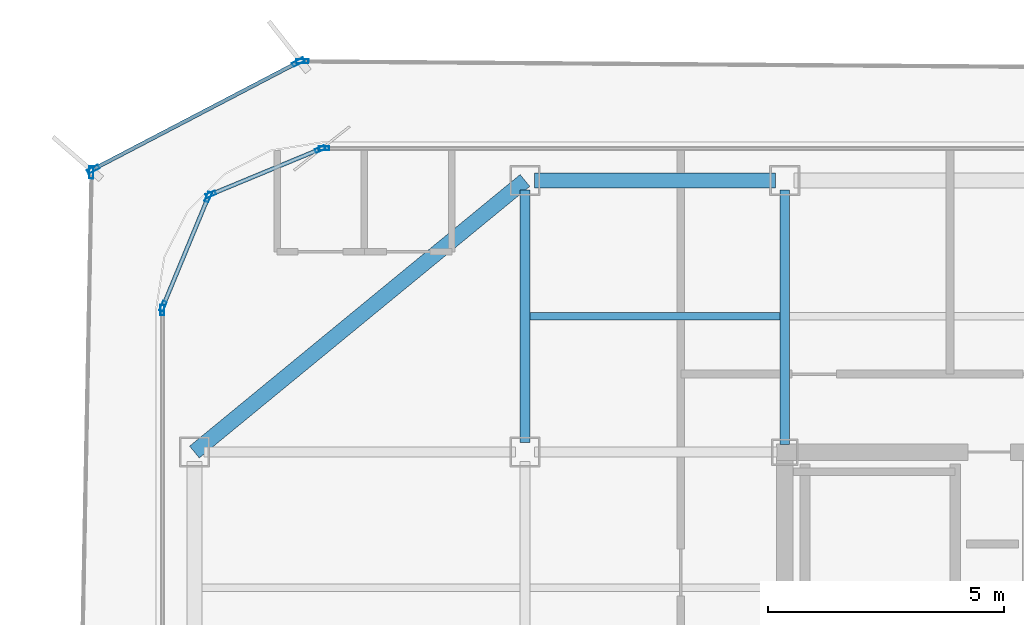
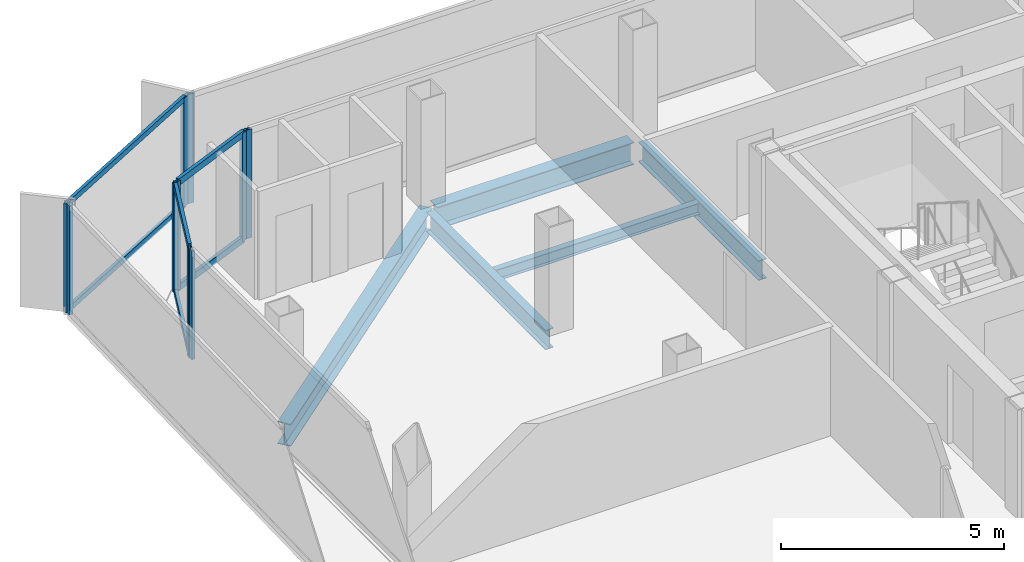
# One storey, part 6 of 15: 16 members, 5 beams, 7 elements without a shape of their own.
"""IFC4 building model written with IfcOpenShell, lengths in metres."""

from ifc_helpers import new_model, si_unit, direction, frame, origin, origin_2d, place, context, subcontext, project, spatial, hollow_rectangle, i_section, extrude, source, transform, mapped, material, layer, layer_set, material_profile, profile_set, type_object, element, aggregate, save


model = new_model("IFC4")

# Units and contexts
model_context = context("Model", 3, precision=1e-05, world=origin(), true_north=direction((0.0, 1.0)))
body_context = subcontext(model_context, "Body", "Model", "MODEL_VIEW")
ifc_project = project(units=[si_unit("LENGTHUNIT", "METRE"), si_unit("AREAUNIT", "SQUARE_METRE"), si_unit("VOLUMEUNIT", "CUBIC_METRE"), si_unit("PLANEANGLEUNIT", "RADIAN"), si_unit("MASSUNIT", "GRAM", prefix="KILO")], contexts=[model_context])

# Site, building, storey
site_placement = place(None, origin())
site = spatial("IfcSite", under=ifc_project, at=site_placement, CompositionType="ELEMENT")
building_placement = place(site_placement, origin())
building = spatial("IfcBuilding", under=site, at=building_placement, Name="Kolveth Station Tower", CompositionType="ELEMENT")
storey_placement = place(building_placement, frame((0.0, 0.0, 223.300048828125)))
storey = spatial("IfcBuildingStorey", under=building, at=storey_placement, Name="L63", CompositionType="ELEMENT", Elevation=223.300048828125)

# Beams
ifc_material_1 = material(Name="Steel S355", Category="steel")
ifc_material_profile_1 = material_profile(ifc_material_1, i_section(OverallWidth=0.323974609375, OverallDepth=0.611083984375, WebThickness=0.0126953125, FlangeThickness=0.01904296875, at=origin_2d()), Name="W610x155")
ifc_profile_set_1 = profile_set([ifc_material_profile_1], Name="Steel S355")
beam_type_1 = type_object("IfcBeamType", Name="Beam_SP2", PredefinedType="SPANDREL", material=ifc_profile_set_1)
shared_shape_1 = source(origin(), body_context, "Body", "SweptSolid", [
    extrude(i_section(OverallWidth=0.323974609375, OverallDepth=0.611083984375, WebThickness=0.0126953125, FlangeThickness=0.01904296875, at=origin_2d()), origin(), (0.0, 0.0, 1.0), 9.058837890625),
])
beam_1_placement = place(storey_placement, frame((13.0, 34.5, -0.525634765625), z_axis=(-0.772726254525, -0.63473942336, 0.0), x_axis=(0.63473942336, -0.772726254525, 0.0)))
element("IfcBeam", 1, at=beam_1_placement, inside=storey, type_object=beam_type_1, Name="L63 Corner Edge Girder BM-L63-CNR-NW", PredefinedType="SPANDREL", context=body_context, shape_type="MappedRepresentation", body=[
    mapped(shared_shape_1, transform((0.0, 0.0, 0.0), x_axis=(1.0, 0.0, 0.0), y_axis=(0.0, 1.0, 0.0), z_axis=(0.0, 0.0, 1.0), scale=1.0)),
])
shared_shape_2 = source(origin(), body_context, "Body", "SweptSolid", [
    extrude(i_section(OverallWidth=0.323974609375, OverallDepth=0.611083984375, WebThickness=0.0126953125, FlangeThickness=0.01904296875, at=origin_2d()), origin(), (0.0, 0.0, 1.0), 5.10009765625),
])
beam_2_placement = place(storey_placement, frame((13.199951171875, 34.5, -0.525634765625), z_axis=(1.0, 0.0, 0.0), x_axis=(0.0, 1.0, 0.0)))
element("IfcBeam", 2, at=beam_2_placement, inside=storey, type_object=beam_type_1, Name="L63 Perimeter Spandrel BM-L63-PN-1", PredefinedType="SPANDREL", context=body_context, shape_type="MappedRepresentation", body=[
    mapped(shared_shape_2, transform((0.0, 0.0, 0.0), x_axis=(1.0, 0.0, 0.0), y_axis=(0.0, 1.0, 0.0), z_axis=(0.0, 0.0, 1.0), scale=1.0)),
])
ifc_material_profile_2 = material_profile(ifc_material_1, i_section(OverallWidth=0.2099609375, OverallDepth=0.537109375, WebThickness=0.010986328125, FlangeThickness=0.017333984375, at=origin_2d()), Name="W530x101")
ifc_profile_set_2 = profile_set([ifc_material_profile_2], Name="Steel S355")
beam_type_2 = type_object("IfcBeamType", Name="Beam_B6", PredefinedType="BEAM", material=ifc_profile_set_2)
shared_shape_3 = source(origin(), body_context, "Body", "SweptSolid", [
    extrude(i_section(OverallWidth=0.2099609375, OverallDepth=0.537109375, WebThickness=0.010986328125, FlangeThickness=0.017333984375, at=origin_2d()), origin(), (0.0, 0.0, 1.0), 5.35009765625),
])
beam_3_placement = place(storey_placement, frame((13.0, 28.949951171875, -0.488525390625), z_axis=(0.0, 1.0, 0.0), x_axis=(-1.0, 0.0, 0.0)))
element("IfcBeam", 3, at=beam_3_placement, inside=storey, type_object=beam_type_2, Name="L63 Primary Girder BM-L63-GX130-6", PredefinedType="BEAM", context=body_context, shape_type="MappedRepresentation", body=[
    mapped(shared_shape_3, transform((0.0, 0.0, 0.0), x_axis=(1.0, 0.0, 0.0), y_axis=(0.0, 1.0, 0.0), z_axis=(0.0, 0.0, 1.0), scale=1.0)),
])
shared_shape_4 = source(origin(), body_context, "Body", "SweptSolid", [
    extrude(i_section(OverallWidth=0.2099609375, OverallDepth=0.537109375, WebThickness=0.010986328125, FlangeThickness=0.017333984375, at=origin_2d()), origin(), (0.0, 0.0, 1.0), 5.39013671875),
])
beam_4_placement = place(storey_placement, frame((18.5, 28.909912109375, -0.488525390625), z_axis=(0.0, 1.0, 0.0), x_axis=(-1.0, 0.0, 0.0)))
element("IfcBeam", 4, at=beam_4_placement, inside=storey, type_object=beam_type_2, Name="L63 Primary Girder BM-L63-GX185-6", PredefinedType="BEAM", context=body_context, shape_type="MappedRepresentation", body=[
    mapped(shared_shape_4, transform((0.0, 0.0, 0.0), x_axis=(1.0, 0.0, 0.0), y_axis=(0.0, 1.0, 0.0), z_axis=(0.0, 0.0, 1.0), scale=1.0)),
])
ifc_material_profile_3 = material_profile(ifc_material_1, i_section(OverallWidth=0.1650390625, OverallDepth=0.31005859375, WebThickness=0.005859375, FlangeThickness=0.009765625, at=origin_2d()), Name="W310x39")
ifc_profile_set_3 = profile_set([ifc_material_profile_3], Name="Steel S355")
beam_type_3 = type_object("IfcBeamType", Name="Beam_J3", PredefinedType="JOIST", material=ifc_profile_set_3)
shared_shape_5 = source(origin(), body_context, "Body", "SweptSolid", [
    extrude(i_section(OverallWidth=0.1650390625, OverallDepth=0.31005859375, WebThickness=0.005859375, FlangeThickness=0.009765625, at=origin_2d()), origin(), (0.0, 0.0, 1.0), 5.2939453125),
])
beam_5_placement = place(storey_placement, frame((13.10302734375, 31.625, -0.375), z_axis=(1.0, 0.0, 0.0), x_axis=(0.0, 1.0, 0.0)))
element("IfcBeam", 5, at=beam_5_placement, inside=storey, type_object=beam_type_3, Name="L63 Secondary Joist JST-L63-2-6", PredefinedType="JOIST", context=body_context, shape_type="MappedRepresentation", body=[
    mapped(shared_shape_5, transform((0.0, 0.0, 0.0), x_axis=(1.0, 0.0, 0.0), y_axis=(0.0, 1.0, 0.0), z_axis=(0.0, 0.0, 1.0), scale=1.0)),
])

# Curtain wall, member
ifc_material_2 = material(Name="Black anodized aluminium 6063-T6 and dark solar glass", Category="aluminium")
ifc_layer_1 = layer(ifc_material_2, 0.159912109375)
ifc_layer_set_1 = layer_set([ifc_layer_1], Name="Black anodized aluminium 6063-T6 and dark solar glass")
curtain_wall_type_1 = type_object("IfcCurtainWallType", Name="OUTER SKIN CW-OS", PredefinedType="NOTDEFINED", material=ifc_layer_set_1)
curtain_wall_1_placement = place(storey_placement, origin())
curtain_wall_1 = element("IfcCurtainWall", 6, at=curtain_wall_1_placement, inside=storey, type_object=curtain_wall_type_1, Name="L63 Outer Ventilated Skin Curtain Wall 4", PredefinedType="NOTDEFINED")
ifc_material_3 = material(Name="Black anodized aluminium 6063-T6", Category="aluminium")
ifc_material_profile_4 = material_profile(ifc_material_3, hollow_rectangle(XDim=0.090087890625, YDim=0.260009765625, WallThickness=0.0048828125, at=origin_2d()), Name="ALU-90x260x5")
ifc_profile_set_4 = profile_set([ifc_material_profile_4], Name="Black anodized aluminium 6063-T6")
member_type_1 = type_object("IfcMemberType", Name="FIN MULLION ML-OS", PredefinedType="MULLION", material=ifc_profile_set_4)
shared_shape_6 = source(origin(), body_context, "Body", "SweptSolid", [
    extrude(hollow_rectangle(XDim=0.090087890625, YDim=0.260009765625, WallThickness=0.0048828125, at=origin_2d()), origin(), (0.0, 0.0, 1.0), 2.989990234375),
])
member_1_placement = place(storey_placement, frame((8.285888671875, 37.02587890625, 0.0), z_axis=(0.0, 0.0, 1.0), x_axis=(-0.007382150183, -0.999972751558, 0.0)))
member_1 = element("IfcMember", 7, at=member_1_placement, type_object=member_type_1, Name="CW-OS mullion 2", PredefinedType="MULLION", context=body_context, shape_type="MappedRepresentation", body=[
    mapped(shared_shape_6, transform((0.0, 0.0, 0.0), x_axis=(1.0, 0.0, 0.0), y_axis=(0.0, 1.0, 0.0), z_axis=(0.0, 0.0, 1.0), scale=1.0)),
])
aggregate(curtain_wall_1, [member_1])

# Curtain wall, members
curtain_wall_2_placement = place(storey_placement, origin())
curtain_wall_2 = element("IfcCurtainWall", 8, at=curtain_wall_2_placement, inside=storey, type_object=curtain_wall_type_1, Name="L63 Outer Ventilated Skin Curtain Wall 5", PredefinedType="NOTDEFINED")
member_2_placement = place(storey_placement, frame((8.200927734375, 37.00537109375, 0.0), z_axis=(0.0, 0.0, 1.0), x_axis=(0.462834497051, -0.886444712512, 0.0)))
member_2 = element("IfcMember", 9, at=member_2_placement, type_object=member_type_1, Name="CW-OS mullion 1", PredefinedType="MULLION", context=body_context, shape_type="MappedRepresentation", body=[
    mapped(shared_shape_6, transform((0.0, 0.0, 0.0), x_axis=(1.0, 0.0, 0.0), y_axis=(0.0, 1.0, 0.0), z_axis=(0.0, 0.0, 1.0), scale=1.0)),
])
member_3_placement = place(storey_placement, frame((3.858154296875, 34.73779296875, 0.0), z_axis=(0.0, 0.0, 1.0), x_axis=(0.462834497051, -0.886444712512, 0.0)))
member_3 = element("IfcMember", 10, at=member_3_placement, type_object=member_type_1, Name="CW-OS mullion 2", PredefinedType="MULLION", context=body_context, shape_type="MappedRepresentation", body=[
    mapped(shared_shape_6, transform((0.0, 0.0, 0.0), x_axis=(1.0, 0.0, 0.0), y_axis=(0.0, 1.0, 0.0), z_axis=(0.0, 0.0, 1.0), scale=1.0)),
])

# Curtain wall, member
curtain_wall_3_placement = place(storey_placement, origin())
curtain_wall_3 = element("IfcCurtainWall", 11, at=curtain_wall_3_placement, inside=storey, type_object=curtain_wall_type_1, Name="L63 Outer Ventilated Skin Curtain Wall 6", PredefinedType="NOTDEFINED")
member_4_placement = place(storey_placement, frame((3.8173828125, 34.672119140625, 0.0), z_axis=(0.0, 0.0, 1.0), x_axis=(0.999812653598, -0.019356076698, 0.0)))
member_4 = element("IfcMember", 12, at=member_4_placement, type_object=member_type_1, Name="CW-OS mullion 1", PredefinedType="MULLION", context=body_context, shape_type="MappedRepresentation", body=[
    mapped(shared_shape_6, transform((0.0, 0.0, 0.0), x_axis=(1.0, 0.0, 0.0), y_axis=(0.0, 1.0, 0.0), z_axis=(0.0, 0.0, 1.0), scale=1.0)),
])
aggregate(curtain_wall_3, [member_4])

ifc_material_4 = material(Name="Aluminium 6063-T6 and triple low-E dark glass", Category="aluminium")
ifc_layer_2 = layer(ifc_material_4, 0.199951171875)
ifc_layer_set_2 = layer_set([ifc_layer_2], Name="Aluminium 6063-T6 and triple low-E dark glass")
curtain_wall_type_2 = type_object("IfcCurtainWallType", Name="CurtainWall_CW-Z3", PredefinedType="NOTDEFINED", material=ifc_layer_set_2)
curtain_wall_4_placement = place(storey_placement, origin())
curtain_wall_4 = element("IfcCurtainWall", 13, at=curtain_wall_4_placement, inside=storey, type_object=curtain_wall_type_2, Name="L63 Inner Thermal Curtain Wall 6", PredefinedType="NOTDEFINED")
ifc_material_profile_5 = material_profile(ifc_material_3, hollow_rectangle(XDim=0.0849609375, YDim=0.215087890625, WallThickness=0.0048828125, at=origin_2d()), Name="ALU-85x215x5")
ifc_profile_set_5 = profile_set([ifc_material_profile_5], Name="Black anodized aluminium 6063-T6")
member_type_2 = type_object("IfcMemberType", Name="Mullion_ML3", PredefinedType="MULLION", material=ifc_profile_set_5)
shared_shape_7 = source(origin(), body_context, "Body", "SweptSolid", [
    extrude(hollow_rectangle(XDim=0.0849609375, YDim=0.215087890625, WallThickness=0.0048828125, at=origin_2d()), origin(), (0.0, 0.0, 1.0), 2.97998046875),
])
member_5_placement = place(storey_placement, frame((8.742431640625, 35.179931640625, 0.0), z_axis=(0.0, 0.0, 1.0), x_axis=(0.0, -1.0, 0.0)))
member_5 = element("IfcMember", 14, at=member_5_placement, type_object=member_type_2, Name="CW-Z3 mullion 2", PredefinedType="MULLION", context=body_context, shape_type="MappedRepresentation", body=[
    mapped(shared_shape_7, transform((0.0, 0.0, 0.0), x_axis=(1.0, 0.0, 0.0), y_axis=(0.0, 1.0, 0.0), z_axis=(0.0, 0.0, 1.0), scale=1.0)),
])
aggregate(curtain_wall_4, [member_5])

# Curtain wall, members
curtain_wall_5_placement = place(storey_placement, origin())
curtain_wall_5 = element("IfcCurtainWall", 15, at=curtain_wall_5_placement, inside=storey, type_object=curtain_wall_type_2, Name="L63 Inner Thermal Curtain Wall 7", PredefinedType="NOTDEFINED")
member_6_placement = place(storey_placement, frame((8.66064453125, 35.163818359375, 0.0), z_axis=(0.0, 0.0, 1.0), x_axis=(0.382693194181, -0.923875488975, 0.0)))
member_6 = element("IfcMember", 16, at=member_6_placement, type_object=member_type_2, Name="CW-Z3 mullion 1", PredefinedType="MULLION", context=body_context, shape_type="MappedRepresentation", body=[
    mapped(shared_shape_7, transform((0.0, 0.0, 0.0), x_axis=(1.0, 0.0, 0.0), y_axis=(0.0, 1.0, 0.0), z_axis=(0.0, 0.0, 1.0), scale=1.0)),
])
member_7_placement = place(storey_placement, frame((6.349365234375, 34.206298828125, 0.0), z_axis=(0.0, 0.0, 1.0), x_axis=(0.382693194181, -0.923875488975, 0.0)))
member_7 = element("IfcMember", 17, at=member_7_placement, type_object=member_type_2, Name="CW-Z3 mullion 2", PredefinedType="MULLION", context=body_context, shape_type="MappedRepresentation", body=[
    mapped(shared_shape_7, transform((0.0, 0.0, 0.0), x_axis=(1.0, 0.0, 0.0), y_axis=(0.0, 1.0, 0.0), z_axis=(0.0, 0.0, 1.0), scale=1.0)),
])

curtain_wall_6_placement = place(storey_placement, origin())
curtain_wall_6 = element("IfcCurtainWall", 18, at=curtain_wall_6_placement, inside=storey, type_object=curtain_wall_type_2, Name="L63 Inner Thermal Curtain Wall 8", PredefinedType="NOTDEFINED")
member_8_placement = place(storey_placement, frame((6.293701171875, 34.150634765625, 0.0), z_axis=(0.0, 0.0, 1.0), x_axis=(0.923875488975, -0.382693194181, 0.0)))
member_8 = element("IfcMember", 19, at=member_8_placement, type_object=member_type_2, Name="CW-Z3 mullion 1", PredefinedType="MULLION", context=body_context, shape_type="MappedRepresentation", body=[
    mapped(shared_shape_7, transform((0.0, 0.0, 0.0), x_axis=(1.0, 0.0, 0.0), y_axis=(0.0, 1.0, 0.0), z_axis=(0.0, 0.0, 1.0), scale=1.0)),
])
member_9_placement = place(storey_placement, frame((5.336181640625, 31.83935546875, 0.0), z_axis=(0.0, 0.0, 1.0), x_axis=(0.923875488975, -0.382693194181, 0.0)))
member_9 = element("IfcMember", 20, at=member_9_placement, type_object=member_type_2, Name="CW-Z3 mullion 2", PredefinedType="MULLION", context=body_context, shape_type="MappedRepresentation", body=[
    mapped(shared_shape_7, transform((0.0, 0.0, 0.0), x_axis=(1.0, 0.0, 0.0), y_axis=(0.0, 1.0, 0.0), z_axis=(0.0, 0.0, 1.0), scale=1.0)),
])

# Curtain wall, member
curtain_wall_7_placement = place(storey_placement, origin())
curtain_wall_7 = element("IfcCurtainWall", 21, at=curtain_wall_7_placement, inside=storey, type_object=curtain_wall_type_2, Name="L63 Inner Thermal Curtain Wall 9", PredefinedType="NOTDEFINED")
member_10_placement = place(storey_placement, frame((5.320068359375, 31.757568359375, 0.0), z_axis=(0.0, 0.0, 1.0), x_axis=(1.0, 0.0, 0.0)))
member_10 = element("IfcMember", 22, at=member_10_placement, type_object=member_type_2, Name="CW-Z3 mullion 1", PredefinedType="MULLION", context=body_context, shape_type="MappedRepresentation", body=[
    mapped(shared_shape_7, transform((0.0, 0.0, 0.0), x_axis=(1.0, 0.0, 0.0), y_axis=(0.0, 1.0, 0.0), z_axis=(0.0, 0.0, 1.0), scale=1.0)),
])
aggregate(curtain_wall_7, [member_10])

# Member
ifc_material_profile_6 = material_profile(ifc_material_3, hollow_rectangle(XDim=0.0849609375, YDim=0.179931640625, WallThickness=0.0048828125, at=origin_2d()), Name="ALU-85x180x5")
ifc_profile_set_6 = profile_set([ifc_material_profile_6], Name="Black anodized aluminium 6063-T6")
member_type_3 = type_object("IfcMemberType", Name="Transom_TR3", PredefinedType="USERDEFINED", material=ifc_profile_set_6)
shared_shape_8 = source(origin(), body_context, "Body", "SweptSolid", [
    extrude(hollow_rectangle(XDim=0.0849609375, YDim=0.179931640625, WallThickness=0.0048828125, at=origin_2d()), origin(), (0.0, 0.0, 1.0), 2.417236328125),
])
member_11_placement = place(storey_placement, frame((8.62158203125, 35.1474609375, 0.04248046875), z_axis=(-0.923872799448, -0.382699687013, 0.0), x_axis=(0.382699687013, -0.923872799448, 0.0)))
member_11 = element("IfcMember", 23, at=member_11_placement, type_object=member_type_3, Name="CW-Z3 transom 1.1", ObjectType="TRANSOM", PredefinedType="USERDEFINED", context=body_context, shape_type="MappedRepresentation", body=[
    mapped(shared_shape_8, transform((0.0, 0.0, 0.0), x_axis=(1.0, 0.0, 0.0), y_axis=(0.0, 1.0, 0.0), z_axis=(0.0, 0.0, 1.0), scale=1.0)),
])

member_12_placement = place(storey_placement, frame((8.62158203125, 35.1474609375, 2.9375), z_axis=(-0.923872799448, -0.382699687013, 0.0), x_axis=(0.382699687013, -0.923872799448, 0.0)))
member_12 = element("IfcMember", 24, at=member_12_placement, type_object=member_type_3, Name="CW-Z3 transom 1.2", ObjectType="TRANSOM", PredefinedType="USERDEFINED", context=body_context, shape_type="MappedRepresentation", body=[
    mapped(shared_shape_8, transform((0.0, 0.0, 0.0), x_axis=(1.0, 0.0, 0.0), y_axis=(0.0, 1.0, 0.0), z_axis=(0.0, 0.0, 1.0), scale=1.0)),
])

aggregate(curtain_wall_5, [member_6, member_7, member_11, member_12])

member_13_placement = place(storey_placement, frame((6.277587890625, 34.111572265625, 0.04248046875), z_axis=(-0.382699687013, -0.923872799448, 0.0), x_axis=(0.923872799448, -0.382699687013, 0.0)))
member_13 = element("IfcMember", 25, at=member_13_placement, type_object=member_type_3, Name="CW-Z3 transom 1.1", ObjectType="TRANSOM", PredefinedType="USERDEFINED", context=body_context, shape_type="MappedRepresentation", body=[
    mapped(shared_shape_8, transform((0.0, 0.0, 0.0), x_axis=(1.0, 0.0, 0.0), y_axis=(0.0, 1.0, 0.0), z_axis=(0.0, 0.0, 1.0), scale=1.0)),
])

member_14_placement = place(storey_placement, frame((6.277587890625, 34.111572265625, 2.9375), z_axis=(-0.382699687013, -0.923872799448, 0.0), x_axis=(0.923872799448, -0.382699687013, 0.0)))
member_14 = element("IfcMember", 26, at=member_14_placement, type_object=member_type_3, Name="CW-Z3 transom 1.2", ObjectType="TRANSOM", PredefinedType="USERDEFINED", context=body_context, shape_type="MappedRepresentation", body=[
    mapped(shared_shape_8, transform((0.0, 0.0, 0.0), x_axis=(1.0, 0.0, 0.0), y_axis=(0.0, 1.0, 0.0), z_axis=(0.0, 0.0, 1.0), scale=1.0)),
])

aggregate(curtain_wall_6, [member_8, member_9, member_13, member_14])

ifc_material_profile_7 = material_profile(ifc_material_3, hollow_rectangle(XDim=0.080078125, YDim=0.14990234375, WallThickness=0.0048828125, at=origin_2d()), Name="ALU-80x150x5")
ifc_profile_set_7 = profile_set([ifc_material_profile_7], Name="Black anodized aluminium 6063-T6")
member_type_4 = type_object("IfcMemberType", Name="Transom_TR-OS", PredefinedType="USERDEFINED", material=ifc_profile_set_7)
shared_shape_9 = source(origin(), body_context, "Body", "SweptSolid", [
    extrude(hollow_rectangle(XDim=0.080078125, YDim=0.14990234375, WallThickness=0.0048828125, at=origin_2d()), origin(), (0.0, 0.0, 1.0), 4.809326171875),
])
member_15_placement = place(storey_placement, frame((8.1611328125, 36.984619140625, 0.0400390625), z_axis=(-0.886430922837, -0.462860906794, 0.0), x_axis=(0.462860906794, -0.886430922837, 0.0)))
member_15 = element("IfcMember", 27, at=member_15_placement, type_object=member_type_4, Name="CW-OS transom 1.1", ObjectType="TRANSOM", PredefinedType="USERDEFINED", context=body_context, shape_type="MappedRepresentation", body=[
    mapped(shared_shape_9, transform((0.0, 0.0, 0.0), x_axis=(1.0, 0.0, 0.0), y_axis=(0.0, 1.0, 0.0), z_axis=(0.0, 0.0, 1.0), scale=1.0)),
])

member_16_placement = place(storey_placement, frame((8.1611328125, 36.984619140625, 2.949951171875), z_axis=(-0.886430922837, -0.462860906794, 0.0), x_axis=(0.462860906794, -0.886430922837, 0.0)))
member_16 = element("IfcMember", 28, at=member_16_placement, type_object=member_type_4, Name="CW-OS transom 1.2", ObjectType="TRANSOM", PredefinedType="USERDEFINED", context=body_context, shape_type="MappedRepresentation", body=[
    mapped(shared_shape_9, transform((0.0, 0.0, 0.0), x_axis=(1.0, 0.0, 0.0), y_axis=(0.0, 1.0, 0.0), z_axis=(0.0, 0.0, 1.0), scale=1.0)),
])

aggregate(curtain_wall_2, [member_2, member_3, member_15, member_16])

save(model, "model.ifc")
